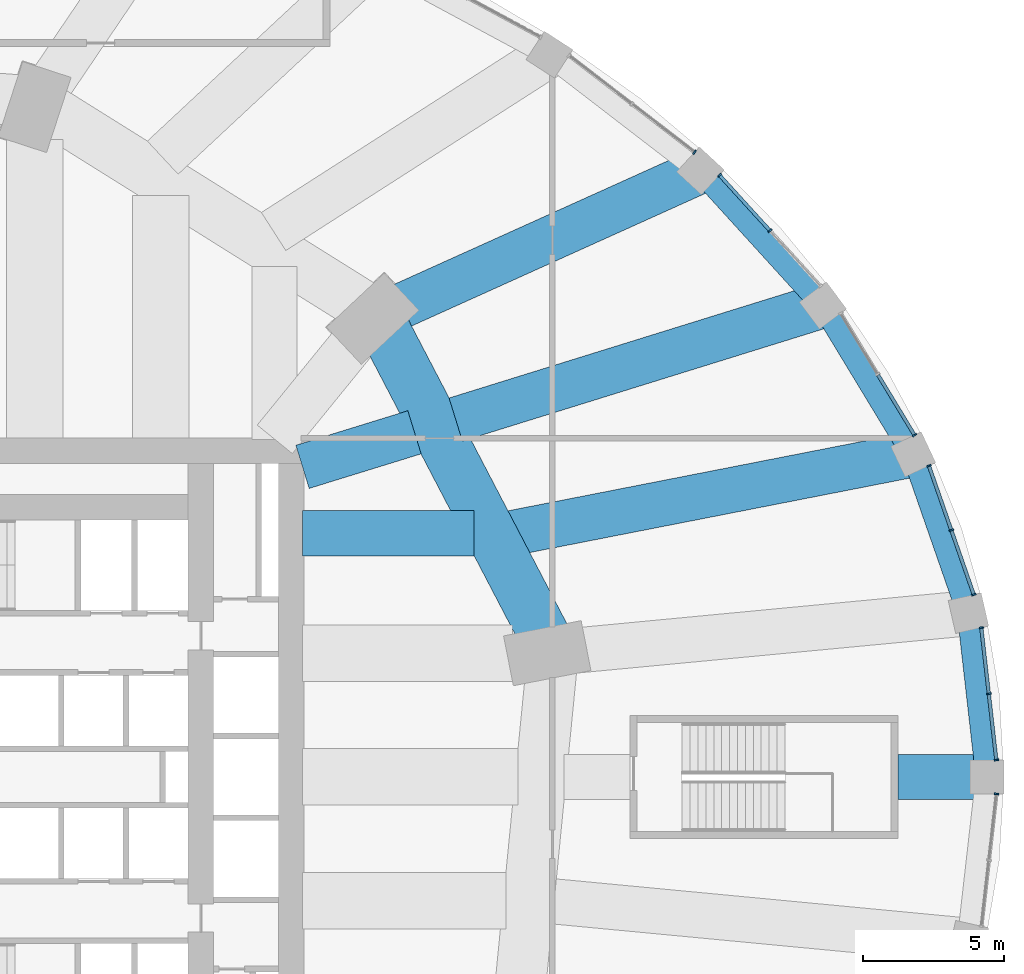
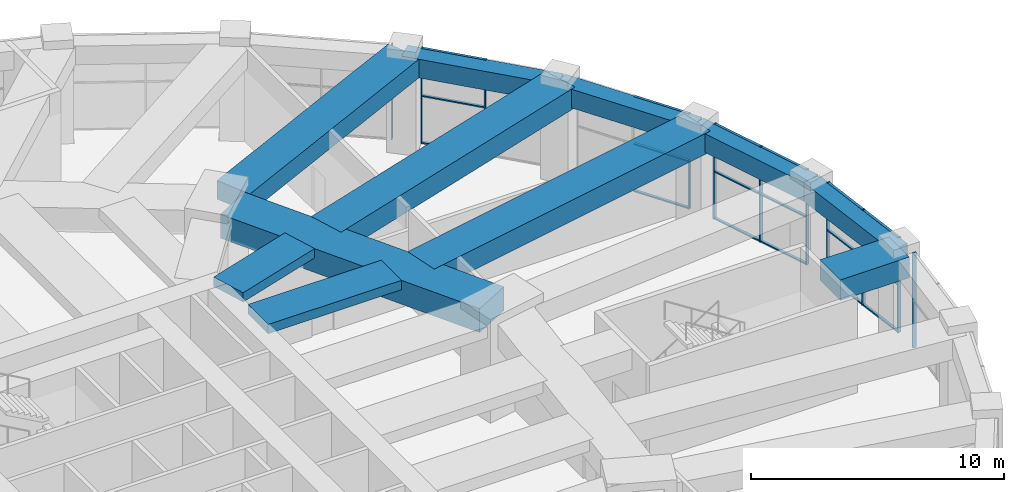
# One storey, part 14 of 32: 29 members, 11 beams, 6 elements without a shape of their own.
"""IFC4 building model written with IfcOpenShell, lengths in metres."""

from ifc_helpers import new_model, si_unit, direction, frame, origin, origin_2d, place, context, subcontext, project, spatial, rectangle, extrude, material, material_profile, profile_set, type_object, element, aggregate, save


model = new_model("IFC4")

# Units and contexts
model_context = context("Model", 3, precision=1e-05, world=origin(), true_north=direction((0.0, 1.0)))
body_context = subcontext(model_context, "Body", "Model", "MODEL_VIEW")
ifc_project = project(units=[si_unit("LENGTHUNIT", "METRE"), si_unit("AREAUNIT", "SQUARE_METRE"), si_unit("VOLUMEUNIT", "CUBIC_METRE"), si_unit("PLANEANGLEUNIT", "RADIAN"), si_unit("MASSUNIT", "GRAM", prefix="KILO")], contexts=[model_context])

# Site, building, storey
site_placement = place(None, origin())
site = spatial("IfcSite", under=ifc_project, at=site_placement, CompositionType="ELEMENT")
building_placement = place(site_placement, origin())
building = spatial("IfcBuilding", under=site, at=building_placement, Name="Taillehof Tower", CompositionType="ELEMENT")
storey_placement = place(building_placement, frame((0.0, 0.0, 7.5)))
storey = spatial("IfcBuildingStorey", under=building, at=storey_placement, Name="L01", CompositionType="ELEMENT", Elevation=7.5)

# Beams
ifc_material_1 = material(Name="Concrete C50/60", Category="concrete")
ifc_material_profile_1 = material_profile(ifc_material_1, rectangle(XDim=0.800048828125, YDim=0.89990234375, at=origin_2d()), Name="RC 800x900")
ifc_profile_set_1 = profile_set([ifc_material_profile_1], Name="Concrete C50/60")
beam_type_1 = type_object("IfcBeamType", Name="Podium edge beam C50/60 800x900", PredefinedType="BEAM", material=ifc_profile_set_1)
beam_1_placement = place(storey_placement, frame((43.39990234375, 0.0, 4.139892578125), z_axis=(-0.112928457179, 0.993603121754, 0.0), x_axis=(-0.993603121754, -0.112928457179, 0.0)))
element("IfcBeam", 1, at=beam_1_placement, inside=storey, type_object=beam_type_1, Name="Podium edge beam PB01", PredefinedType="BEAM", context=body_context, shape_type="SweptSolid", body=[
    extrude(rectangle(XDim=0.800048828125, YDim=0.89990234375, at=origin_2d()), origin(), (0.0, 0.0, 1.0), 5.837158203125),
])
beam_2_placement = place(storey_placement, frame((42.74072265625, 5.7998046875, 4.139892578125), z_axis=(-0.328806837859, 0.94439719577, 0.0), x_axis=(-0.94439719577, -0.328806837859, 0.0)))
element("IfcBeam", 2, at=beam_2_placement, inside=storey, type_object=beam_type_1, Name="Podium edge beam PB02", PredefinedType="BEAM", context=body_context, shape_type="SweptSolid", body=[
    extrude(rectangle(XDim=0.800048828125, YDim=0.89990234375, at=origin_2d()), origin(), (0.0, 0.0, 1.0), 5.954833984375),
])
beam_3_placement = place(storey_placement, frame((40.78271484375, 11.423583984375, 4.139892578125), z_axis=(-0.518238569123, 0.855236099258, 0.0), x_axis=(-0.855236099258, -0.518238569123, 0.0)))
element("IfcBeam", 3, at=beam_3_placement, inside=storey, type_object=beam_type_1, Name="Podium edge beam PB03", PredefinedType="BEAM", context=body_context, shape_type="SweptSolid", body=[
    extrude(rectangle(XDim=0.800048828125, YDim=0.89990234375, at=origin_2d()), origin(), (0.0, 0.0, 1.0), 6.16943359375),
])
beam_4_placement = place(storey_placement, frame((37.58544921875, 16.699951171875, 4.139892578125), z_axis=(-0.67297994181, 0.739660731634, 0.0), x_axis=(-0.739660731634, -0.67297994181, 0.0)))
element("IfcBeam", 4, at=beam_4_placement, inside=storey, type_object=beam_type_1, Name="Podium edge beam PB04", PredefinedType="BEAM", context=body_context, shape_type="SweptSolid", body=[
    extrude(rectangle(XDim=0.800048828125, YDim=0.89990234375, at=origin_2d()), origin(), (0.0, 0.0, 1.0), 6.447509765625),
])
ifc_material_2 = material(Name="Concrete C50/60", Category="concrete")
ifc_material_profile_2 = material_profile(ifc_material_2, rectangle(XDim=1.60009765625, YDim=1.0, at=origin_2d()), Name="RC 1600x1000")
ifc_profile_set_2 = profile_set([ifc_material_profile_2], Name="Concrete C50/60")
beam_type_2 = type_object("IfcBeamType", Name="Podium radial beam C50/60 1600x1000", PredefinedType="BEAM", material=ifc_profile_set_2)
beam_5_placement = place(storey_placement, frame((43.39990234375, 0.0, 4.090087890625), z_axis=(-1.0, 0.0, 0.0), x_axis=(0.0, -1.0, 0.0)))
element("IfcBeam", 5, at=beam_5_placement, inside=storey, type_object=beam_type_2, Name="Podium radial beam PR01", PredefinedType="BEAM", context=body_context, shape_type="SweptSolid", body=[
    extrude(rectangle(XDim=1.60009765625, YDim=1.0, at=origin_2d()), origin(), (0.0, 0.0, 1.0), 3.14990234375),
])
beam_6_placement = place(storey_placement, frame((40.78271484375, 11.423583984375, 4.090087890625), z_axis=(-0.981363685946, -0.192159610496, 0.0), x_axis=(0.192159610496, -0.981363685946, 0.0)))
element("IfcBeam", 6, at=beam_6_placement, inside=storey, type_object=beam_type_2, Name="Podium radial beam PR03", PredefinedType="BEAM", context=body_context, shape_type="SweptSolid", body=[
    extrude(rectangle(XDim=1.60009765625, YDim=1.0, at=origin_2d()), origin(), (0.0, 0.0, 1.0), 14.47119140625),
])
beam_7_placement = place(storey_placement, frame((37.58544921875, 16.699951171875, 4.090087890625), z_axis=(-0.954999719984, -0.296606700583, 0.0), x_axis=(0.296606700583, -0.954999719984, 0.0)))
element("IfcBeam", 7, at=beam_7_placement, inside=storey, type_object=beam_type_2, Name="Podium radial beam PR04", PredefinedType="BEAM", context=body_context, shape_type="SweptSolid", body=[
    extrude(rectangle(XDim=1.60009765625, YDim=1.0, at=origin_2d()), origin(), (0.0, 0.0, 1.0), 13.619140625),
])
ifc_material_3 = material(Name="Concrete C50/60", Category="concrete")
ifc_material_profile_3 = material_profile(ifc_material_3, rectangle(XDim=1.60009765625, YDim=0.89990234375, at=origin_2d()), Name="RC 1600x900")
ifc_profile_set_3 = profile_set([ifc_material_profile_3], Name="Concrete C50/60")
beam_type_3 = type_object("IfcBeamType", Name="Podium radial beam C50/60 1600x900", PredefinedType="BEAM", material=ifc_profile_set_3)
beam_8_placement = place(storey_placement, frame((33.246337890625, 21.468994140625, 4.139892578125), z_axis=(-0.911450628646, -0.411409469436, 0.0), x_axis=(0.411409469436, -0.911450628646, 0.0)))
element("IfcBeam", 8, at=beam_8_placement, inside=storey, type_object=beam_type_3, Name="Podium radial beam PR05", PredefinedType="BEAM", context=body_context, shape_type="SweptSolid", body=[
    extrude(rectangle(XDim=1.60009765625, YDim=0.89990234375, at=origin_2d()), origin(), (0.0, 0.0, 1.0), 11.58837890625),
])

# Curtain wall, members
ifc_material_4 = material(Name="Aluminium curtain wall with Clear low-emissivity double glazing", Category="aluminium")
curtain_wall_type = type_object("IfcCurtainWallType", Name="Podium window wall curtain wall", PredefinedType="USERDEFINED", material=ifc_material_4)
curtain_wall_1_placement = place(storey_placement, origin())
curtain_wall_1 = element("IfcCurtainWall", 9, at=curtain_wall_1_placement, inside=storey, type_object=curtain_wall_type, Name="Podium window wall L01 bay 1", ObjectType="WINDOW WALL", PredefinedType="USERDEFINED")
ifc_material_5 = material(Name="Aluminium mullion", Category="aluminium")
ifc_material_profile_4 = material_profile(ifc_material_5, rectangle(XDim=0.159912109375, YDim=0.06005859375, at=origin_2d()), Name="AL 60x160")
ifc_profile_set_4 = profile_set([ifc_material_profile_4], Name="Aluminium mullion")
member_type_1 = type_object("IfcMemberType", Name="Podium window wall mullion 60x160", PredefinedType="MULLION", material=ifc_profile_set_4)
member_1_placement = place(storey_placement, frame((43.73046875, 0.60009765625, 0.0), z_axis=(0.0, 0.0, 1.0), x_axis=(-0.993602669771, -0.112932433888, 0.0)))
member_1 = element("IfcMember", 10, at=member_1_placement, type_object=member_type_1, Name="CT201 mullion 1", PredefinedType="MULLION", context=body_context, shape_type="SweptSolid", body=[
    extrude(rectangle(XDim=0.159912109375, YDim=0.06005859375, at=origin_2d()), origin(), (0.0, 0.0, 1.0), 4.590087890625),
])
member_2_placement = place(storey_placement, frame((43.464111328125, 2.9443359375, 0.0), z_axis=(0.0, 0.0, 1.0), x_axis=(-0.993602669771, -0.112932433888, 0.0)))
member_2 = element("IfcMember", 11, at=member_2_placement, type_object=member_type_1, Name="CT201 mullion 2", PredefinedType="MULLION", context=body_context, shape_type="SweptSolid", body=[
    extrude(rectangle(XDim=0.159912109375, YDim=0.06005859375, at=origin_2d()), origin(), (0.0, 0.0, 1.0), 4.590087890625),
])
member_3_placement = place(storey_placement, frame((43.197509765625, 5.28857421875, 0.0), z_axis=(0.0, 0.0, 1.0), x_axis=(-0.993602669771, -0.112932433888, 0.0)))
member_3 = element("IfcMember", 12, at=member_3_placement, type_object=member_type_1, Name="CT201 mullion 3", PredefinedType="MULLION", context=body_context, shape_type="SweptSolid", body=[
    extrude(rectangle(XDim=0.159912109375, YDim=0.06005859375, at=origin_2d()), origin(), (0.0, 0.0, 1.0), 4.590087890625),
])

curtain_wall_2_placement = place(storey_placement, origin())
curtain_wall_2 = element("IfcCurtainWall", 13, at=curtain_wall_2_placement, inside=storey, type_object=curtain_wall_type, Name="Podium window wall L01 bay 2", ObjectType="WINDOW WALL", PredefinedType="USERDEFINED")
member_4_placement = place(storey_placement, frame((42.930908203125, 6.458740234375, 0.0), z_axis=(0.0, 0.0, 1.0), x_axis=(-0.944414333464, -0.328757610934, 0.0)))
member_4 = element("IfcMember", 14, at=member_4_placement, type_object=member_type_1, Name="CT202 mullion 1", PredefinedType="MULLION", context=body_context, shape_type="SweptSolid", body=[
    extrude(rectangle(XDim=0.159912109375, YDim=0.06005859375, at=origin_2d()), origin(), (0.0, 0.0, 1.0), 4.590087890625),
])
member_5_placement = place(storey_placement, frame((42.136474609375, 8.7412109375, 0.0), z_axis=(0.0, 0.0, 1.0), x_axis=(-0.944414333464, -0.328757610934, 0.0)))
member_5 = element("IfcMember", 15, at=member_5_placement, type_object=member_type_1, Name="CT202 mullion 2", PredefinedType="MULLION", context=body_context, shape_type="SweptSolid", body=[
    extrude(rectangle(XDim=0.159912109375, YDim=0.06005859375, at=origin_2d()), origin(), (0.0, 0.0, 1.0), 4.590087890625),
])
member_6_placement = place(storey_placement, frame((41.341796875, 11.023681640625, 0.0), z_axis=(0.0, 0.0, 1.0), x_axis=(-0.944414333464, -0.328757610934, 0.0)))
member_6 = element("IfcMember", 16, at=member_6_placement, type_object=member_type_1, Name="CT202 mullion 3", PredefinedType="MULLION", context=body_context, shape_type="SweptSolid", body=[
    extrude(rectangle(XDim=0.159912109375, YDim=0.06005859375, at=origin_2d()), origin(), (0.0, 0.0, 1.0), 4.590087890625),
])

# Curtain wall, member
curtain_wall_3_placement = place(storey_placement, origin())
curtain_wall_3 = element("IfcCurtainWall", 17, at=curtain_wall_3_placement, inside=storey, type_object=curtain_wall_type, Name="Podium window wall L01 bay 3", ObjectType="WINDOW WALL", PredefinedType="USERDEFINED")
member_7_placement = place(storey_placement, frame((40.8310546875, 12.109375, 0.0), z_axis=(0.0, 0.0, 1.0), x_axis=(-0.855288863309, -0.518151483931, 0.0)))
member_7 = element("IfcMember", 18, at=member_7_placement, type_object=member_type_1, Name="CT203 mullion 1", PredefinedType="MULLION", context=body_context, shape_type="SweptSolid", body=[
    extrude(rectangle(XDim=0.159912109375, YDim=0.06005859375, at=origin_2d()), origin(), (0.0, 0.0, 1.0), 4.590087890625),
])

# Curtain wall, members
curtain_wall_4_placement = place(storey_placement, origin())
curtain_wall_4 = element("IfcCurtainWall", 19, at=curtain_wall_4_placement, inside=storey, type_object=curtain_wall_type, Name="Podium window wall L01 bay 4", ObjectType="WINDOW WALL", PredefinedType="USERDEFINED")
member_8_placement = place(storey_placement, frame((35.7109375, 19.35107421875, 0.0), z_axis=(0.0, 0.0, 1.0), x_axis=(-0.739707112587, -0.672928961769, 0.0)))
member_8 = element("IfcMember", 20, at=member_8_placement, type_object=member_type_1, Name="CT204 mullion 2", PredefinedType="MULLION", context=body_context, shape_type="SweptSolid", body=[
    extrude(rectangle(XDim=0.159912109375, YDim=0.06005859375, at=origin_2d()), origin(), (0.0, 0.0, 1.0), 4.590087890625),
])
member_9_placement = place(storey_placement, frame((33.922119140625, 21.317138671875, 0.0), z_axis=(0.0, 0.0, 1.0), x_axis=(-0.739707112587, -0.672928961769, 0.0)))
member_9 = element("IfcMember", 21, at=member_9_placement, type_object=member_type_1, Name="CT204 mullion 3", PredefinedType="MULLION", context=body_context, shape_type="SweptSolid", body=[
    extrude(rectangle(XDim=0.159912109375, YDim=0.06005859375, at=origin_2d()), origin(), (0.0, 0.0, 1.0), 4.590087890625),
])

# Curtain wall, member
curtain_wall_5_placement = place(storey_placement, origin())
curtain_wall_5 = element("IfcCurtainWall", 22, at=curtain_wall_5_placement, inside=storey, type_object=curtain_wall_type, Name="Podium window wall L01 bay 5", ObjectType="WINDOW WALL", PredefinedType="USERDEFINED")
member_10_placement = place(storey_placement, frame((33.03955078125, 22.130126953125, 0.0), z_axis=(0.0, 0.0, 1.0), x_axis=(-0.60993206075, -0.792453709228, 0.0)))
member_10 = element("IfcMember", 23, at=member_10_placement, type_object=member_type_1, Name="CT205 mullion 1", PredefinedType="MULLION", context=body_context, shape_type="SweptSolid", body=[
    extrude(rectangle(XDim=0.159912109375, YDim=0.06005859375, at=origin_2d()), origin(), (0.0, 0.0, 1.0), 4.590087890625),
])
aggregate(curtain_wall_5, [member_10])

curtain_wall_6_placement = place(storey_placement, origin())
curtain_wall_6 = element("IfcCurtainWall", 24, at=curtain_wall_6_placement, inside=storey, type_object=curtain_wall_type, Name="Podium window wall L01 bay 36", ObjectType="WINDOW WALL", PredefinedType="USERDEFINED")
member_11_placement = place(storey_placement, frame((43.73046875, -0.60009765625, 0.0), z_axis=(0.0, 0.0, 1.0), x_axis=(-0.993602669771, 0.112932433888, 0.0)))
member_11 = element("IfcMember", 25, at=member_11_placement, type_object=member_type_1, Name="CT236 mullion 3", PredefinedType="MULLION", context=body_context, shape_type="SweptSolid", body=[
    extrude(rectangle(XDim=0.159912109375, YDim=0.06005859375, at=origin_2d()), origin(), (0.0, 0.0, 1.0), 4.590087890625),
])
aggregate(curtain_wall_6, [member_11])

# Member
ifc_material_6 = material(Name="Aluminium transom", Category="aluminium")
ifc_material_profile_5 = material_profile(ifc_material_6, rectangle(XDim=0.1201171875, YDim=0.06005859375, at=origin_2d()), Name="AL 120x60")
ifc_profile_set_5 = profile_set([ifc_material_profile_5], Name="Aluminium transom")
member_type_2 = type_object("IfcMemberType", Name="Podium window wall transom 120x60", PredefinedType="USERDEFINED", material=ifc_profile_set_5)
member_12_placement = place(storey_placement, frame((43.72705078125, 0.6298828125, 0.030029296875), z_axis=(-0.112866805394, 0.993610126881, 0.0), x_axis=(-0.993610126881, -0.112866805394, 0.0)))
member_12 = element("IfcMember", 26, at=member_12_placement, type_object=member_type_2, Name="CT201 transom 1.1", ObjectType="TRANSOM", PredefinedType="USERDEFINED", context=body_context, shape_type="SweptSolid", body=[
    extrude(rectangle(XDim=0.1201171875, YDim=0.06005859375, at=origin_2d()), origin(), (0.0, 0.0, 1.0), 2.29931640625),
])

member_13_placement = place(storey_placement, frame((43.72705078125, 0.6298828125, 2.294921875), z_axis=(-0.112866805394, 0.993610126881, 0.0), x_axis=(-0.993610126881, -0.112866805394, 0.0)))
member_13 = element("IfcMember", 27, at=member_13_placement, type_object=member_type_2, Name="CT201 transom 1.2", ObjectType="TRANSOM", PredefinedType="USERDEFINED", context=body_context, shape_type="SweptSolid", body=[
    extrude(rectangle(XDim=0.1201171875, YDim=0.06005859375, at=origin_2d()), origin(), (0.0, 0.0, 1.0), 2.29931640625),
])

member_14_placement = place(storey_placement, frame((43.72705078125, 0.6298828125, 4.56005859375), z_axis=(-0.112866805394, 0.993610126881, 0.0), x_axis=(-0.993610126881, -0.112866805394, 0.0)))
member_14 = element("IfcMember", 28, at=member_14_placement, type_object=member_type_2, Name="CT201 transom 1.3", ObjectType="TRANSOM", PredefinedType="USERDEFINED", context=body_context, shape_type="SweptSolid", body=[
    extrude(rectangle(XDim=0.1201171875, YDim=0.06005859375, at=origin_2d()), origin(), (0.0, 0.0, 1.0), 2.29931640625),
])

member_15_placement = place(storey_placement, frame((43.460693359375, 2.97412109375, 0.030029296875), z_axis=(-0.112971628537, 0.993598214142, 0.0), x_axis=(-0.993598214142, -0.112971628537, 0.0)))
member_15 = element("IfcMember", 29, at=member_15_placement, type_object=member_type_2, Name="CT201 transom 2.1", ObjectType="TRANSOM", PredefinedType="USERDEFINED", context=body_context, shape_type="SweptSolid", body=[
    extrude(rectangle(XDim=0.1201171875, YDim=0.06005859375, at=origin_2d()), origin(), (0.0, 0.0, 1.0), 2.29931640625),
])

member_16_placement = place(storey_placement, frame((43.460693359375, 2.97412109375, 2.294921875), z_axis=(-0.112971628537, 0.993598214142, 0.0), x_axis=(-0.993598214142, -0.112971628537, 0.0)))
member_16 = element("IfcMember", 30, at=member_16_placement, type_object=member_type_2, Name="CT201 transom 2.2", ObjectType="TRANSOM", PredefinedType="USERDEFINED", context=body_context, shape_type="SweptSolid", body=[
    extrude(rectangle(XDim=0.1201171875, YDim=0.06005859375, at=origin_2d()), origin(), (0.0, 0.0, 1.0), 2.29931640625),
])

member_17_placement = place(storey_placement, frame((43.460693359375, 2.97412109375, 4.56005859375), z_axis=(-0.112971628537, 0.993598214142, 0.0), x_axis=(-0.993598214142, -0.112971628537, 0.0)))
member_17 = element("IfcMember", 31, at=member_17_placement, type_object=member_type_2, Name="CT201 transom 2.3", ObjectType="TRANSOM", PredefinedType="USERDEFINED", context=body_context, shape_type="SweptSolid", body=[
    extrude(rectangle(XDim=0.1201171875, YDim=0.06005859375, at=origin_2d()), origin(), (0.0, 0.0, 1.0), 2.29931640625),
])

aggregate(curtain_wall_1, [member_1, member_2, member_3, member_12, member_13, member_14, member_15, member_16, member_17])

member_18_placement = place(storey_placement, frame((42.921142578125, 6.487060546875, 0.030029296875), z_axis=(-0.328785781258, 0.944404526695, 0.0), x_axis=(-0.944404526695, -0.328785781258, 0.0)))
member_18 = element("IfcMember", 32, at=member_18_placement, type_object=member_type_2, Name="CT202 transom 1.1", ObjectType="TRANSOM", PredefinedType="USERDEFINED", context=body_context, shape_type="SweptSolid", body=[
    extrude(rectangle(XDim=0.1201171875, YDim=0.06005859375, at=origin_2d()), origin(), (0.0, 0.0, 1.0), 2.35693359375),
])

member_19_placement = place(storey_placement, frame((42.921142578125, 6.487060546875, 2.294921875), z_axis=(-0.328785781258, 0.944404526695, 0.0), x_axis=(-0.944404526695, -0.328785781258, 0.0)))
member_19 = element("IfcMember", 33, at=member_19_placement, type_object=member_type_2, Name="CT202 transom 1.2", ObjectType="TRANSOM", PredefinedType="USERDEFINED", context=body_context, shape_type="SweptSolid", body=[
    extrude(rectangle(XDim=0.1201171875, YDim=0.06005859375, at=origin_2d()), origin(), (0.0, 0.0, 1.0), 2.35693359375),
])

member_20_placement = place(storey_placement, frame((42.921142578125, 6.487060546875, 4.56005859375), z_axis=(-0.328785781258, 0.944404526695, 0.0), x_axis=(-0.944404526695, -0.328785781258, 0.0)))
member_20 = element("IfcMember", 34, at=member_20_placement, type_object=member_type_2, Name="CT202 transom 1.3", ObjectType="TRANSOM", PredefinedType="USERDEFINED", context=body_context, shape_type="SweptSolid", body=[
    extrude(rectangle(XDim=0.1201171875, YDim=0.06005859375, at=origin_2d()), origin(), (0.0, 0.0, 1.0), 2.35693359375),
])

member_21_placement = place(storey_placement, frame((42.12646484375, 8.76953125, 0.030029296875), z_axis=(-0.328693387122, 0.9444366878, 0.0), x_axis=(-0.9444366878, -0.328693387122, 0.0)))
member_21 = element("IfcMember", 35, at=member_21_placement, type_object=member_type_2, Name="CT202 transom 2.1", ObjectType="TRANSOM", PredefinedType="USERDEFINED", context=body_context, shape_type="SweptSolid", body=[
    extrude(rectangle(XDim=0.1201171875, YDim=0.06005859375, at=origin_2d()), origin(), (0.0, 0.0, 1.0), 2.356689453125),
])

member_22_placement = place(storey_placement, frame((42.12646484375, 8.76953125, 2.294921875), z_axis=(-0.328693387122, 0.9444366878, 0.0), x_axis=(-0.9444366878, -0.328693387122, 0.0)))
member_22 = element("IfcMember", 36, at=member_22_placement, type_object=member_type_2, Name="CT202 transom 2.2", ObjectType="TRANSOM", PredefinedType="USERDEFINED", context=body_context, shape_type="SweptSolid", body=[
    extrude(rectangle(XDim=0.1201171875, YDim=0.06005859375, at=origin_2d()), origin(), (0.0, 0.0, 1.0), 2.356689453125),
])

member_23_placement = place(storey_placement, frame((42.12646484375, 8.76953125, 4.56005859375), z_axis=(-0.328693387122, 0.9444366878, 0.0), x_axis=(-0.9444366878, -0.328693387122, 0.0)))
member_23 = element("IfcMember", 37, at=member_23_placement, type_object=member_type_2, Name="CT202 transom 2.3", ObjectType="TRANSOM", PredefinedType="USERDEFINED", context=body_context, shape_type="SweptSolid", body=[
    extrude(rectangle(XDim=0.1201171875, YDim=0.06005859375, at=origin_2d()), origin(), (0.0, 0.0, 1.0), 2.356689453125),
])

aggregate(curtain_wall_2, [member_4, member_5, member_6, member_18, member_19, member_20, member_21, member_22, member_23])

member_24_placement = place(storey_placement, frame((40.8154296875, 12.135009765625, 0.030029296875), z_axis=(-0.518136875535, 0.855297713203, 0.0), x_axis=(-0.855297713203, -0.518136875535, 0.0)))
member_24 = element("IfcMember", 38, at=member_24_placement, type_object=member_type_2, Name="CT203 transom 1.1", ObjectType="TRANSOM", PredefinedType="USERDEFINED", context=body_context, shape_type="SweptSolid", body=[
    extrude(rectangle(XDim=0.1201171875, YDim=0.06005859375, at=origin_2d()), origin(), (0.0, 0.0, 1.0), 2.4619140625),
])

member_25_placement = place(storey_placement, frame((40.8154296875, 12.135009765625, 2.294921875), z_axis=(-0.518136875535, 0.855297713203, 0.0), x_axis=(-0.855297713203, -0.518136875535, 0.0)))
member_25 = element("IfcMember", 39, at=member_25_placement, type_object=member_type_2, Name="CT203 transom 1.2", ObjectType="TRANSOM", PredefinedType="USERDEFINED", context=body_context, shape_type="SweptSolid", body=[
    extrude(rectangle(XDim=0.1201171875, YDim=0.06005859375, at=origin_2d()), origin(), (0.0, 0.0, 1.0), 2.4619140625),
])

member_26_placement = place(storey_placement, frame((40.8154296875, 12.135009765625, 4.56005859375), z_axis=(-0.518136875535, 0.855297713203, 0.0), x_axis=(-0.855297713203, -0.518136875535, 0.0)))
member_26 = element("IfcMember", 40, at=member_26_placement, type_object=member_type_2, Name="CT203 transom 1.3", ObjectType="TRANSOM", PredefinedType="USERDEFINED", context=body_context, shape_type="SweptSolid", body=[
    extrude(rectangle(XDim=0.1201171875, YDim=0.06005859375, at=origin_2d()), origin(), (0.0, 0.0, 1.0), 2.4619140625),
])

aggregate(curtain_wall_3, [member_7, member_24, member_25, member_26])

member_27_placement = place(storey_placement, frame((35.690673828125, 19.373291015625, 0.030029296875), z_axis=(-0.672958072108, 0.73968062918, 0.0), x_axis=(-0.73968062918, -0.672958072108, 0.0)))
member_27 = element("IfcMember", 41, at=member_27_placement, type_object=member_type_2, Name="CT204 transom 2.1", ObjectType="TRANSOM", PredefinedType="USERDEFINED", context=body_context, shape_type="SweptSolid", body=[
    extrude(rectangle(XDim=0.1201171875, YDim=0.06005859375, at=origin_2d()), origin(), (0.0, 0.0, 1.0), 2.597900390625),
])

member_28_placement = place(storey_placement, frame((35.690673828125, 19.373291015625, 2.294921875), z_axis=(-0.672958072108, 0.73968062918, 0.0), x_axis=(-0.73968062918, -0.672958072108, 0.0)))
member_28 = element("IfcMember", 42, at=member_28_placement, type_object=member_type_2, Name="CT204 transom 2.2", ObjectType="TRANSOM", PredefinedType="USERDEFINED", context=body_context, shape_type="SweptSolid", body=[
    extrude(rectangle(XDim=0.1201171875, YDim=0.06005859375, at=origin_2d()), origin(), (0.0, 0.0, 1.0), 2.597900390625),
])

member_29_placement = place(storey_placement, frame((35.690673828125, 19.373291015625, 4.56005859375), z_axis=(-0.672958072108, 0.73968062918, 0.0), x_axis=(-0.73968062918, -0.672958072108, 0.0)))
member_29 = element("IfcMember", 43, at=member_29_placement, type_object=member_type_2, Name="CT204 transom 2.3", ObjectType="TRANSOM", PredefinedType="USERDEFINED", context=body_context, shape_type="SweptSolid", body=[
    extrude(rectangle(XDim=0.1201171875, YDim=0.06005859375, at=origin_2d()), origin(), (0.0, 0.0, 1.0), 2.597900390625),
])

aggregate(curtain_wall_4, [member_8, member_9, member_27, member_28, member_29])

# Beams
ifc_material_7 = material(Name="Concrete C50/60", Category="concrete")
ifc_material_profile_6 = material_profile(ifc_material_7, rectangle(XDim=1.60009765625, YDim=0.449951171875, at=origin_2d()), Name="RC 1600x450")
ifc_profile_set_6 = profile_set([ifc_material_profile_6], Name="Concrete C50/60")
beam_type_4 = type_object("IfcBeamType", Name="Radial band beam C50/60 1600x450", PredefinedType="BEAM", material=ifc_profile_set_6)
beam_9_placement = place(storey_placement, frame((25.234130859375, 8.635986328125, 4.364990234375), z_axis=(-1.0, 0.0, 0.0), x_axis=(0.0, -1.0, 0.0)))
element("IfcBeam", 44, at=beam_9_placement, inside=storey, type_object=beam_type_4, Name="Radial band beam RB03", PredefinedType="BEAM", context=body_context, shape_type="SweptSolid", body=[
    extrude(rectangle(XDim=1.60009765625, YDim=0.449951171875, at=origin_2d()), origin(), (0.0, 0.0, 1.0), 6.084228515625),
])
beam_10_placement = place(storey_placement, frame((23.117919921875, 12.209228515625, 4.364990234375), z_axis=(-0.955533205801, -0.294883523805, 0.0), x_axis=(0.294883523805, -0.955533205801, 0.0)))
element("IfcBeam", 45, at=beam_10_placement, inside=storey, type_object=beam_type_4, Name="Radial band beam RB04", PredefinedType="BEAM", context=body_context, shape_type="SweptSolid", body=[
    extrude(rectangle(XDim=1.60009765625, YDim=0.449951171875, at=origin_2d()), origin(), (0.0, 0.0, 1.0), 4.150390625),
])
ifc_material_8 = material(Name="Concrete C50/60", Category="concrete")
ifc_material_profile_7 = material_profile(ifc_material_8, rectangle(XDim=1.800048828125, YDim=1.14990234375, at=origin_2d()), Name="RC 1800x1150")
ifc_profile_set_7 = profile_set([ifc_material_profile_7], Name="Concrete C50/60")
beam_type_5 = type_object("IfcBeamType", Name="Ring floor beam C50/60 1800x1150", PredefinedType="BEAM", material=ifc_profile_set_7)
beam_11_placement = place(storey_placement, frame((27.716552734375, 5.01708984375, 4.014892578125), z_axis=(-0.462558439378, 0.88658879429, 0.0), x_axis=(-0.88658879429, -0.462558439378, 0.0)))
element("IfcBeam", 46, at=beam_11_placement, inside=storey, type_object=beam_type_5, Name="Ring floor beam RG01", PredefinedType="BEAM", context=body_context, shape_type="SweptSolid", body=[
    extrude(rectangle(XDim=1.800048828125, YDim=1.14990234375, at=origin_2d()), origin(), (0.0, 0.0, 1.0), 12.12841796875),
])

save(model, "model.ifc")
